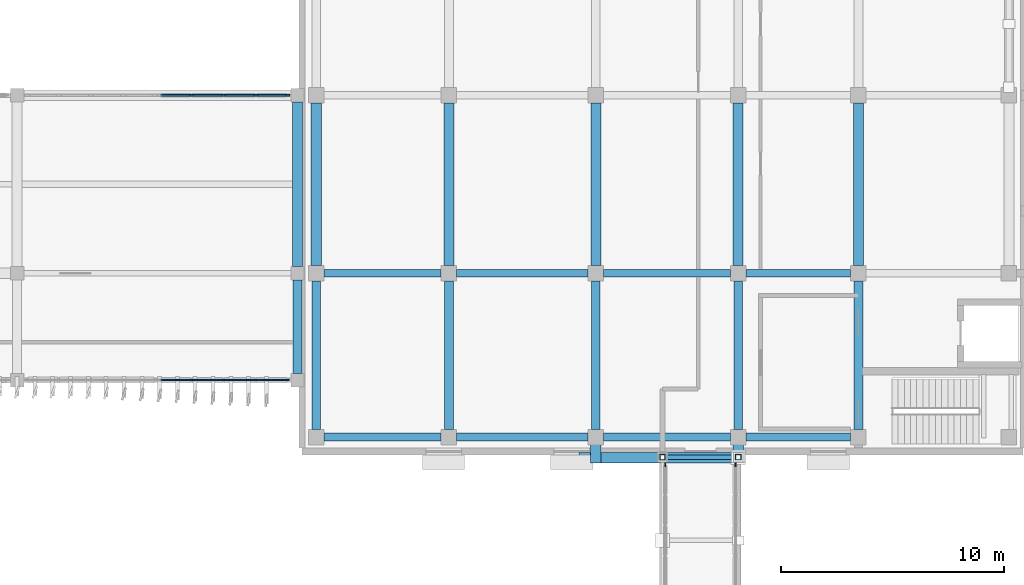
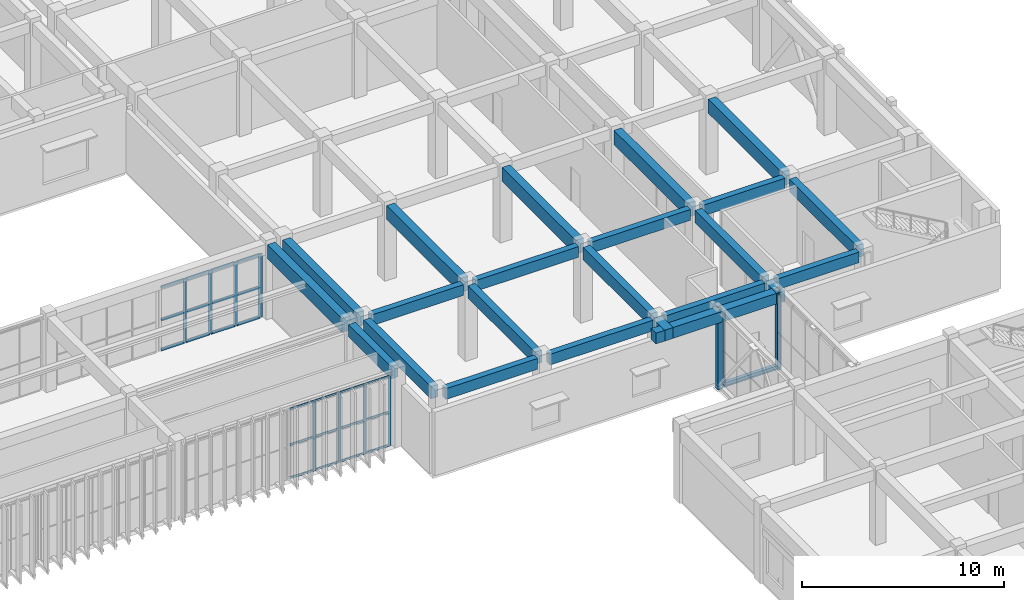
# One storey, part 25 of 64: 36 members, 24 beams, 4 elements without a shape of their own.
"""IFC4 building model written with IfcOpenShell, lengths in metres."""

from ifc_helpers import new_model, si_unit, direction, frame, origin, origin_2d, place, context, subcontext, project, spatial, rectangle, hollow_rectangle, i_section, extrude, material, layer, layer_set, material_profile, profile_set, type_object, element, aggregate, save


model = new_model("IFC4")

# Units and contexts
model_context = context("Model", 3, precision=1e-05, world=origin(), true_north=direction((0.0, 1.0)))
body_context = subcontext(model_context, "Body", "Model", "MODEL_VIEW")
ifc_project = project(units=[si_unit("LENGTHUNIT", "METRE"), si_unit("AREAUNIT", "SQUARE_METRE"), si_unit("VOLUMEUNIT", "CUBIC_METRE"), si_unit("PLANEANGLEUNIT", "RADIAN"), si_unit("MASSUNIT", "GRAM", prefix="KILO")], contexts=[model_context])

# Site, building, storey
site_placement = place(None, origin())
site = spatial("IfcSite", under=ifc_project, at=site_placement, CompositionType="ELEMENT")
building_placement = place(site_placement, origin())
building = spatial("IfcBuilding", under=site, at=building_placement, Name="Cinchona Park Media Centre", CompositionType="ELEMENT")
storey_placement = place(building_placement, frame((0.0, 0.0, 5.39990234375)))
storey = spatial("IfcBuildingStorey", under=building, at=storey_placement, Name="L01", CompositionType="ELEMENT", Elevation=5.39990234375)

# Beams
ifc_material_1 = material(Name="Concrete C35/45", Category="concrete")
ifc_material_profile_1 = material_profile(ifc_material_1, rectangle(XDim=0.39990234375, YDim=0.75, at=origin_2d()), Name="RB 400X750")
ifc_profile_set_1 = profile_set([ifc_material_profile_1], Name="Concrete C35/45")
beam_type_1 = type_object("IfcBeamType", Name="BEAM-B01-RB400X750", PredefinedType="BEAM", material=ifc_profile_set_1)
beam_1_placement = place(storey_placement, frame((139.39990234375, 75.10009765625, 4.1650390625), z_axis=(0.0, 1.0, 0.0), x_axis=(-1.0, 0.0, 0.0)))
element("IfcBeam", 1, at=beam_1_placement, inside=storey, type_object=beam_type_1, Name="Girder B01 L01", PredefinedType="BEAM", context=body_context, shape_type="SweptSolid", body=[
    extrude(rectangle(XDim=0.39990234375, YDim=0.75, at=origin_2d()), origin(), (0.0, 0.0, 1.0), 4.199951171875),
])
for number, where, z_axis, x_axis, name in (
    (2, (140.239990234375, 72.590087890625, 4.175048828125), (0.0, 1.0, 0.0), (-1.0, 0.0, 0.0), "Girder B01 L01"),
    (3, (146.199951171875, 72.590087890625, 4.175048828125), (0.0, 1.0, 0.0), (-1.0, 0.0, 0.0), "Girder B01 L01"),
    (4, (152.800048828125, 72.590087890625, 4.175048828125), (0.0, 1.0, 0.0), (-1.0, 0.0, 0.0), "Girder B01 L01"),
    (5, (159.199951171875, 72.590087890625, 4.175048828125), (0.0, 1.0, 0.0), (-1.0, 0.0, 0.0), "Girder B01 L01"),
    (6, (164.60009765625, 72.590087890625, 4.175048828125), (0.0, 1.0, 0.0), (-1.0, 0.0, 0.0), "Girder B01 L01"),
):
    element("IfcBeam", number, at=place(storey_placement, frame(where, z_axis=z_axis, x_axis=x_axis)), inside=storey, type_object=beam_type_1, Name=name, PredefinedType="BEAM", context=body_context, shape_type="SweptSolid", body=[
        extrude(rectangle(XDim=0.39990234375, YDim=0.75, at=origin_2d()), origin(), (0.0, 0.0, 1.0), 6.659912109375),
    ])
ifc_material_2 = material(Name="Concrete C35/45", Category="concrete")
ifc_material_profile_2 = material_profile(ifc_material_2, rectangle(XDim=0.449951171875, YDim=0.85009765625, at=origin_2d()), Name="RB 450X850")
ifc_profile_set_2 = profile_set([ifc_material_profile_2], Name="Concrete C35/45")
beam_type_2 = type_object("IfcBeamType", Name="BEAM-B02-RB450X850", PredefinedType="BEAM", material=ifc_profile_set_2)
beam_2_placement = place(storey_placement, frame((139.39990234375, 79.89990234375, 4.114990234375), z_axis=(0.0, 1.0, 0.0), x_axis=(-1.0, 0.0, 0.0)))
element("IfcBeam", 7, at=beam_2_placement, inside=storey, type_object=beam_type_2, Name="Girder B02 L01", PredefinedType="BEAM", context=body_context, shape_type="SweptSolid", body=[
    extrude(rectangle(XDim=0.449951171875, YDim=0.85009765625, at=origin_2d()), origin(), (0.0, 0.0, 1.0), 7.400146484375),
])
for number, where, z_axis, x_axis, name in (
    (8, (140.239990234375, 79.949951171875, 4.125), (0.0, 1.0, 0.0), (-1.0, 0.0, 0.0), "Girder B02 L01"),
    (9, (146.199951171875, 79.949951171875, 4.125), (0.0, 1.0, 0.0), (-1.0, 0.0, 0.0), "Girder B02 L01"),
    (10, (152.800048828125, 79.949951171875, 4.125), (0.0, 1.0, 0.0), (-1.0, 0.0, 0.0), "Girder B02 L01"),
    (11, (159.199951171875, 79.949951171875, 4.125), (0.0, 1.0, 0.0), (-1.0, 0.0, 0.0), "Girder B02 L01"),
    (12, (164.60009765625, 79.949951171875, 4.125), (0.0, 1.0, 0.0), (-1.0, 0.0, 0.0), "Girder B02 L01"),
):
    element("IfcBeam", number, at=place(storey_placement, frame(where, z_axis=z_axis, x_axis=x_axis)), inside=storey, type_object=beam_type_2, Name=name, PredefinedType="BEAM", context=body_context, shape_type="SweptSolid", body=[
        extrude(rectangle(XDim=0.449951171875, YDim=0.85009765625, at=origin_2d()), origin(), (0.0, 0.0, 1.0), 7.300048828125),
    ])
ifc_material_3 = material(Name="Concrete C35/45", Category="concrete")
ifc_material_profile_3 = material_profile(ifc_material_3, rectangle(XDim=0.35009765625, YDim=0.64990234375, at=origin_2d()), Name="RB 350X650")
ifc_profile_set_3 = profile_set([ifc_material_profile_3], Name="Concrete C35/45")
beam_type_3 = type_object("IfcBeamType", Name="BEAM-B04-RB350X650", PredefinedType="BEAM", material=ifc_profile_set_3)
beam_3_placement = place(storey_placement, frame((140.590087890625, 72.239990234375, 4.22509765625), z_axis=(1.0, 0.0, 0.0), x_axis=(0.0, 1.0, 0.0)))
element("IfcBeam", 13, at=beam_3_placement, inside=storey, type_object=beam_type_3, Name="Beam B04 L01", PredefinedType="BEAM", context=body_context, shape_type="SweptSolid", body=[
    extrude(rectangle(XDim=0.35009765625, YDim=0.64990234375, at=origin_2d()), origin(), (0.0, 0.0, 1.0), 5.260009765625),
])
beam_4_placement = place(storey_placement, frame((146.550048828125, 72.239990234375, 4.22509765625), z_axis=(1.0, 0.0, 0.0), x_axis=(0.0, 1.0, 0.0)))
element("IfcBeam", 14, at=beam_4_placement, inside=storey, type_object=beam_type_3, Name="Beam B04 L01", PredefinedType="BEAM", context=body_context, shape_type="SweptSolid", body=[
    extrude(rectangle(XDim=0.35009765625, YDim=0.64990234375, at=origin_2d()), origin(), (0.0, 0.0, 1.0), 5.89990234375),
])
beam_5_placement = place(storey_placement, frame((153.14990234375, 72.239990234375, 4.22509765625), z_axis=(1.0, 0.0, 0.0), x_axis=(0.0, 1.0, 0.0)))
element("IfcBeam", 15, at=beam_5_placement, inside=storey, type_object=beam_type_3, Name="Beam B04 L01", PredefinedType="BEAM", context=body_context, shape_type="SweptSolid", body=[
    extrude(rectangle(XDim=0.35009765625, YDim=0.64990234375, at=origin_2d()), origin(), (0.0, 0.0, 1.0), 5.7001953125),
])
beam_6_placement = place(storey_placement, frame((159.550048828125, 72.239990234375, 4.22509765625), z_axis=(1.0, 0.0, 0.0), x_axis=(0.0, 1.0, 0.0)))
element("IfcBeam", 16, at=beam_6_placement, inside=storey, type_object=beam_type_3, Name="Beam B04 L01", PredefinedType="BEAM", context=body_context, shape_type="SweptSolid", body=[
    extrude(rectangle(XDim=0.35009765625, YDim=0.64990234375, at=origin_2d()), origin(), (0.0, 0.0, 1.0), 4.699951171875),
])
beam_7_placement = place(storey_placement, frame((140.590087890625, 79.60009765625, 4.22509765625), z_axis=(1.0, 0.0, 0.0), x_axis=(0.0, 1.0, 0.0)))
element("IfcBeam", 17, at=beam_7_placement, inside=storey, type_object=beam_type_3, Name="Beam B04 L01", PredefinedType="BEAM", context=body_context, shape_type="SweptSolid", body=[
    extrude(rectangle(XDim=0.35009765625, YDim=0.64990234375, at=origin_2d()), origin(), (0.0, 0.0, 1.0), 5.260009765625),
])
beam_8_placement = place(storey_placement, frame((146.550048828125, 79.60009765625, 4.22509765625), z_axis=(1.0, 0.0, 0.0), x_axis=(0.0, 1.0, 0.0)))
element("IfcBeam", 18, at=beam_8_placement, inside=storey, type_object=beam_type_3, Name="Beam B04 L01", PredefinedType="BEAM", context=body_context, shape_type="SweptSolid", body=[
    extrude(rectangle(XDim=0.35009765625, YDim=0.64990234375, at=origin_2d()), origin(), (0.0, 0.0, 1.0), 5.89990234375),
])
beam_9_placement = place(storey_placement, frame((153.14990234375, 79.60009765625, 4.22509765625), z_axis=(1.0, 0.0, 0.0), x_axis=(0.0, 1.0, 0.0)))
element("IfcBeam", 19, at=beam_9_placement, inside=storey, type_object=beam_type_3, Name="Beam B04 L01", PredefinedType="BEAM", context=body_context, shape_type="SweptSolid", body=[
    extrude(rectangle(XDim=0.35009765625, YDim=0.64990234375, at=origin_2d()), origin(), (0.0, 0.0, 1.0), 5.7001953125),
])
beam_10_placement = place(storey_placement, frame((159.550048828125, 79.60009765625, 4.22509765625), z_axis=(1.0, 0.0, 0.0), x_axis=(0.0, 1.0, 0.0)))
element("IfcBeam", 20, at=beam_10_placement, inside=storey, type_object=beam_type_3, Name="Beam B04 L01", PredefinedType="BEAM", context=body_context, shape_type="SweptSolid", body=[
    extrude(rectangle(XDim=0.35009765625, YDim=0.64990234375, at=origin_2d()), origin(), (0.0, 0.0, 1.0), 4.699951171875),
])
ifc_material_4 = material(Name="Concrete C40/50", Category="concrete")
ifc_material_profile_4 = material_profile(ifc_material_4, rectangle(XDim=0.47998046875, YDim=0.64990234375, at=origin_2d()), Name="RB 480X650")
ifc_profile_set_4 = profile_set([ifc_material_profile_4], Name="Concrete C40/50")
beam_type_4 = type_object("IfcBeamType", Name="BEAM-B07-RB480X650", PredefinedType="BEAM", material=ifc_profile_set_4)
for number, where, z_axis, x_axis, name in (
    (21, (152.800048828125, 72.239990234375, 4.175048828125), (0.0, -1.0, 0.0), (1.0, 0.0, 0.0), "Skybridge Support Corbel Beam B07 V7 L01"),
    (22, (159.199951171875, 72.239990234375, 4.175048828125), (0.0, -1.0, 0.0), (1.0, 0.0, 0.0), "Skybridge Support Corbel Beam B07 V7 L01"),
):
    element("IfcBeam", number, at=place(storey_placement, frame(where, z_axis=z_axis, x_axis=x_axis)), inside=storey, type_object=beam_type_4, Name=name, PredefinedType="BEAM", context=body_context, shape_type="SweptSolid", body=[
        extrude(rectangle(XDim=0.47998046875, YDim=0.64990234375, at=origin_2d()), origin(), (0.0, 0.0, 1.0), 1.159912109375),
    ])
beam_11_placement = place(storey_placement, frame((152.050048828125, 71.320068359375, 4.175048828125), z_axis=(1.0, 0.0, 0.0), x_axis=(0.0, 1.0, 0.0)))
element("IfcBeam", 23, at=beam_11_placement, inside=storey, type_object=beam_type_4, Name="Skybridge Bearing Seat Beam B07 V7 L01", PredefinedType="BEAM", context=body_context, shape_type="SweptSolid", body=[
    extrude(rectangle(XDim=0.47998046875, YDim=0.64990234375, at=origin_2d()), origin(), (0.0, 0.0, 1.0), 7.300048828125),
])
ifc_material_5 = material(Name="Steel S355", Category="steel")
ifc_material_profile_5 = material_profile(ifc_material_5, i_section(OverallWidth=0.202880859375, OverallDepth=0.251953125, WebThickness=0.008056640625, FlangeThickness=0.013427734375, at=origin_2d()), Name="W250X58")
ifc_profile_set_5 = profile_set([ifc_material_profile_5], Name="Steel S355")
beam_type_5 = type_object("IfcBeamType", Name="BEAM-B09-W250X58", PredefinedType="BEAM", material=ifc_profile_set_5)
beam_12_placement = place(storey_placement, frame((155.93994140625, 71.340087890625, -0.14990234375), z_axis=(1.0, 0.0, 0.0), x_axis=(0.0, 1.0, 0.0)))
element("IfcBeam", 24, at=beam_12_placement, inside=storey, type_object=beam_type_5, Name="Skybridge Cross Transom Beam B09 SB1", PredefinedType="BEAM", context=body_context, shape_type="SweptSolid", body=[
    extrude(i_section(OverallWidth=0.202880859375, OverallDepth=0.251953125, WebThickness=0.008056640625, FlangeThickness=0.013427734375, at=origin_2d()), origin(), (0.0, 0.0, 1.0), 3.1201171875),
])

# Members
ifc_material_6 = material(Name="Steel S355", Category="steel")
ifc_material_profile_6 = material_profile(ifc_material_6, hollow_rectangle(XDim=0.25, YDim=0.25, WallThickness=0.01611328125, at=origin_2d()), Name="250X250X16SHS")
ifc_profile_set_6 = profile_set([ifc_material_profile_6], Name="Steel S355")
member_type_1 = type_object("IfcMemberType", Name="MEMBER-TS02-SHS250X250X16", PredefinedType="STRUT", material=ifc_profile_set_6)
for number, where, z_axis, x_axis, name in (
    (25, (155.800048828125, 71.340087890625, -0.2998046875), (0.0, 0.0, 1.0), (1.0, 0.0, 0.0), "Skybridge Truss End Post TS02 SB1"),
    (26, (159.199951171875, 71.340087890625, -0.2998046875), (0.0, 0.0, 1.0), (1.0, 0.0, 0.0), "Skybridge Truss End Post TS02 SB1"),
):
    element("IfcMember", number, at=place(storey_placement, frame(where, z_axis=z_axis, x_axis=x_axis)), inside=storey, type_object=member_type_1, Name=name, PredefinedType="STRUT", context=body_context, shape_type="SweptSolid", body=[
        extrude(hollow_rectangle(XDim=0.25, YDim=0.25, WallThickness=0.01611328125, at=origin_2d()), origin(), (0.0, 0.0, 1.0), 4.849853515625),
    ])

# Curtain wall, members
ifc_material_7 = material(Name="Aluminium Curtain Wall Framing", Category="aluminium")
ifc_layer_1 = layer(ifc_material_7, 0.27001953125)
ifc_layer_set_1 = layer_set([ifc_layer_1], Name="Aluminium Curtain Wall Framing")
curtain_wall_type_1 = type_object("IfcCurtainWallType", Name="CW-CW07", PredefinedType="USERDEFINED", material=ifc_layer_set_1)
curtain_wall_1_placement = place(storey_placement, origin())
curtain_wall_1 = element("IfcCurtainWall", 27, at=curtain_wall_1_placement, inside=storey, type_object=curtain_wall_type_1, Name="Curtain Wall CW07 L01", ObjectType="UNITISED CURTAIN WALL", PredefinedType="USERDEFINED")
ifc_material_8 = material(Name="Anodised Aluminium Alloy 6063-T6", Category="aluminium")
ifc_material_profile_7 = material_profile(ifc_material_8, rectangle(XDim=0.06494140625, YDim=0.159912109375, at=origin_2d()), Name="MUL-65X160")
ifc_profile_set_7 = profile_set([ifc_material_profile_7], Name="Anodised Aluminium Alloy 6063-T6")
member_type_2 = type_object("IfcMemberType", Name="MULLION-MUL01", PredefinedType="MULLION", material=ifc_profile_set_7)
member_1_placement = place(storey_placement, frame((138.947509765625, 74.800048828125, 0.050048828125), z_axis=(0.0, 0.0, 1.0), x_axis=(0.0, -1.0, 0.0)))
member_1 = element("IfcMember", 28, at=member_1_placement, type_object=member_type_2, Name="CW07 mullion 1", PredefinedType="MULLION", context=body_context, shape_type="SweptSolid", body=[
    extrude(rectangle(XDim=0.06494140625, YDim=0.159912109375, at=origin_2d()), origin(), (0.0, 0.0, 1.0), 4.238037109375),
])
member_2_placement = place(storey_placement, frame((137.530029296875, 74.800048828125, 0.050048828125), z_axis=(0.0, 0.0, 1.0), x_axis=(0.0, -1.0, 0.0)))
member_2 = element("IfcMember", 29, at=member_2_placement, type_object=member_type_2, Name="CW07 mullion 2", PredefinedType="MULLION", context=body_context, shape_type="SweptSolid", body=[
    extrude(rectangle(XDim=0.06494140625, YDim=0.159912109375, at=origin_2d()), origin(), (0.0, 0.0, 1.0), 4.238037109375),
])
member_3_placement = place(storey_placement, frame((136.080078125, 74.800048828125, 0.050048828125), z_axis=(0.0, 0.0, 1.0), x_axis=(0.0, -1.0, 0.0)))
member_3 = element("IfcMember", 30, at=member_3_placement, type_object=member_type_2, Name="CW07 mullion 3", PredefinedType="MULLION", context=body_context, shape_type="SweptSolid", body=[
    extrude(rectangle(XDim=0.06494140625, YDim=0.159912109375, at=origin_2d()), origin(), (0.0, 0.0, 1.0), 4.238037109375),
])
member_4_placement = place(storey_placement, frame((134.6298828125, 74.800048828125, 0.050048828125), z_axis=(0.0, 0.0, 1.0), x_axis=(0.0, -1.0, 0.0)))
member_4 = element("IfcMember", 31, at=member_4_placement, type_object=member_type_2, Name="CW07 mullion 4", PredefinedType="MULLION", context=body_context, shape_type="SweptSolid", body=[
    extrude(rectangle(XDim=0.06494140625, YDim=0.159912109375, at=origin_2d()), origin(), (0.0, 0.0, 1.0), 4.238037109375),
])

# Curtain wall, member
ifc_material_9 = material(Name="Aluminium Curtain Wall Framing", Category="aluminium")
ifc_layer_2 = layer(ifc_material_9, 0.195068359375)
ifc_layer_set_2 = layer_set([ifc_layer_2], Name="Aluminium Curtain Wall Framing")
curtain_wall_type_2 = type_object("IfcCurtainWallType", Name="CW-CW02", PredefinedType="USERDEFINED", material=ifc_layer_set_2)
curtain_wall_2_placement = place(storey_placement, origin())
curtain_wall_2 = element("IfcCurtainWall", 32, at=curtain_wall_2_placement, inside=storey, type_object=curtain_wall_type_2, Name="Skybridge SB1 Curtain Wall CW02 L01", ObjectType="UNITISED CURTAIN WALL", PredefinedType="USERDEFINED")
member_5_placement = place(storey_placement, frame((155.919921875, 70.99755859375, 0.050048828125), z_axis=(0.0, 0.0, 1.0), x_axis=(-1.0, 0.0, 0.0)))
member_5 = element("IfcMember", 33, at=member_5_placement, type_object=member_type_2, Name="CW02 mullion 6", PredefinedType="MULLION", context=body_context, shape_type="SweptSolid", body=[
    extrude(rectangle(XDim=0.06494140625, YDim=0.159912109375, at=origin_2d()), origin(), (0.0, 0.0, 1.0), 4.449951171875),
])
aggregate(curtain_wall_2, [member_5])

curtain_wall_3_placement = place(storey_placement, origin())
curtain_wall_3 = element("IfcCurtainWall", 34, at=curtain_wall_3_placement, inside=storey, type_object=curtain_wall_type_2, Name="Skybridge SB1 Curtain Wall CW02 L01", ObjectType="UNITISED CURTAIN WALL", PredefinedType="USERDEFINED")
member_6_placement = place(storey_placement, frame((159.080078125, 70.99755859375, 0.050048828125), z_axis=(0.0, 0.0, 1.0), x_axis=(1.0, 0.0, 0.0)))
member_6 = element("IfcMember", 35, at=member_6_placement, type_object=member_type_2, Name="CW02 mullion 1", PredefinedType="MULLION", context=body_context, shape_type="SweptSolid", body=[
    extrude(rectangle(XDim=0.06494140625, YDim=0.159912109375, at=origin_2d()), origin(), (0.0, 0.0, 1.0), 4.449951171875),
])
aggregate(curtain_wall_3, [member_6])

# Curtain wall, members
ifc_material_10 = material(Name="Aluminium Curtain Wall Framing", Category="aluminium")
ifc_layer_3 = layer(ifc_material_10, 0.22509765625)
ifc_layer_set_3 = layer_set([ifc_layer_3], Name="Aluminium Curtain Wall Framing")
curtain_wall_type_3 = type_object("IfcCurtainWallType", Name="CW-CW04", PredefinedType="USERDEFINED", material=ifc_layer_set_3)
curtain_wall_4_placement = place(storey_placement, origin())
curtain_wall_4 = element("IfcCurtainWall", 36, at=curtain_wall_4_placement, inside=storey, type_object=curtain_wall_type_3, Name="Curtain Wall CW04 L01", ObjectType="UNITISED CURTAIN WALL", PredefinedType="USERDEFINED")
ifc_material_11 = material(Name="Anodised Aluminium Alloy 6063-T6", Category="aluminium")
ifc_material_profile_8 = material_profile(ifc_material_11, rectangle(XDim=0.074951171875, YDim=0.2099609375, at=origin_2d()), Name="MUL-75X210")
ifc_profile_set_8 = profile_set([ifc_material_profile_8], Name="Anodised Aluminium Alloy 6063-T6")
member_type_3 = type_object("IfcMemberType", Name="MULLION-MUL03", PredefinedType="MULLION", material=ifc_profile_set_8)
member_7_placement = place(storey_placement, frame((134.6298828125, 87.60009765625, 0.050048828125), z_axis=(0.0, 0.0, 1.0), x_axis=(0.0, 1.0, 0.0)))
member_7 = element("IfcMember", 37, at=member_7_placement, type_object=member_type_3, Name="CW04 mullion 2", PredefinedType="MULLION", context=body_context, shape_type="SweptSolid", body=[
    extrude(rectangle(XDim=0.074951171875, YDim=0.2099609375, at=origin_2d()), origin(), (0.0, 0.0, 1.0), 3.840087890625),
])
member_8_placement = place(storey_placement, frame((136.080078125, 87.60009765625, 0.050048828125), z_axis=(0.0, 0.0, 1.0), x_axis=(0.0, 1.0, 0.0)))
member_8 = element("IfcMember", 38, at=member_8_placement, type_object=member_type_3, Name="CW04 mullion 3", PredefinedType="MULLION", context=body_context, shape_type="SweptSolid", body=[
    extrude(rectangle(XDim=0.074951171875, YDim=0.2099609375, at=origin_2d()), origin(), (0.0, 0.0, 1.0), 3.840087890625),
])
member_9_placement = place(storey_placement, frame((137.530029296875, 87.60009765625, 0.050048828125), z_axis=(0.0, 0.0, 1.0), x_axis=(0.0, 1.0, 0.0)))
member_9 = element("IfcMember", 39, at=member_9_placement, type_object=member_type_3, Name="CW04 mullion 4", PredefinedType="MULLION", context=body_context, shape_type="SweptSolid", body=[
    extrude(rectangle(XDim=0.074951171875, YDim=0.2099609375, at=origin_2d()), origin(), (0.0, 0.0, 1.0), 3.840087890625),
])
member_10_placement = place(storey_placement, frame((138.9423828125, 87.60009765625, 0.050048828125), z_axis=(0.0, 0.0, 1.0), x_axis=(0.0, 1.0, 0.0)))
member_10 = element("IfcMember", 40, at=member_10_placement, type_object=member_type_3, Name="CW04 mullion 5", PredefinedType="MULLION", context=body_context, shape_type="SweptSolid", body=[
    extrude(rectangle(XDim=0.074951171875, YDim=0.2099609375, at=origin_2d()), origin(), (0.0, 0.0, 1.0), 3.840087890625),
])

# Member
ifc_material_12 = material(Name="Anodised Aluminium Alloy 6063-T6", Category="aluminium")
ifc_material_profile_9 = material_profile(ifc_material_12, rectangle(XDim=0.06494140625, YDim=0.1201171875, at=origin_2d()), Name="TRN-65X120")
ifc_profile_set_9 = profile_set([ifc_material_profile_9], Name="Anodised Aluminium Alloy 6063-T6")
member_type_4 = type_object("IfcMemberType", Name="TRANSOM-TRN01", PredefinedType="USERDEFINED", material=ifc_profile_set_9)
member_11_placement = place(storey_placement, frame((138.9150390625, 74.800048828125, 0.08251953125), z_axis=(-1.0, 0.0, 0.0), x_axis=(0.0, -1.0, 0.0)))
member_11 = element("IfcMember", 41, at=member_11_placement, type_object=member_type_4, Name="CW07 transom 1.1", ObjectType="TRANSOM", PredefinedType="USERDEFINED", context=body_context, shape_type="SweptSolid", body=[
    extrude(rectangle(XDim=0.06494140625, YDim=0.1201171875, at=origin_2d()), origin(), (0.0, 0.0, 1.0), 1.3525390625),
])

member_12_placement = place(storey_placement, frame((138.9150390625, 74.800048828125, 2.083984375), z_axis=(-1.0, 0.0, 0.0), x_axis=(0.0, -1.0, 0.0)))
member_12 = element("IfcMember", 42, at=member_12_placement, type_object=member_type_4, Name="CW07 transom 1.2", ObjectType="TRANSOM", PredefinedType="USERDEFINED", context=body_context, shape_type="SweptSolid", body=[
    extrude(rectangle(XDim=0.06494140625, YDim=0.1201171875, at=origin_2d()), origin(), (0.0, 0.0, 1.0), 1.3525390625),
])

member_13_placement = place(storey_placement, frame((138.9150390625, 74.800048828125, 4.255615234375), z_axis=(-1.0, 0.0, 0.0), x_axis=(0.0, -1.0, 0.0)))
member_13 = element("IfcMember", 43, at=member_13_placement, type_object=member_type_4, Name="CW07 transom 1.3", ObjectType="TRANSOM", PredefinedType="USERDEFINED", context=body_context, shape_type="SweptSolid", body=[
    extrude(rectangle(XDim=0.06494140625, YDim=0.1201171875, at=origin_2d()), origin(), (0.0, 0.0, 1.0), 1.3525390625),
])

member_14_placement = place(storey_placement, frame((137.49755859375, 74.800048828125, 0.08251953125), z_axis=(-1.0, 0.0, 0.0), x_axis=(0.0, -1.0, 0.0)))
member_14 = element("IfcMember", 44, at=member_14_placement, type_object=member_type_4, Name="CW07 transom 2.1", ObjectType="TRANSOM", PredefinedType="USERDEFINED", context=body_context, shape_type="SweptSolid", body=[
    extrude(rectangle(XDim=0.06494140625, YDim=0.1201171875, at=origin_2d()), origin(), (0.0, 0.0, 1.0), 1.385009765625),
])

member_15_placement = place(storey_placement, frame((137.49755859375, 74.800048828125, 2.083984375), z_axis=(-1.0, 0.0, 0.0), x_axis=(0.0, -1.0, 0.0)))
member_15 = element("IfcMember", 45, at=member_15_placement, type_object=member_type_4, Name="CW07 transom 2.2", ObjectType="TRANSOM", PredefinedType="USERDEFINED", context=body_context, shape_type="SweptSolid", body=[
    extrude(rectangle(XDim=0.06494140625, YDim=0.1201171875, at=origin_2d()), origin(), (0.0, 0.0, 1.0), 1.385009765625),
])

member_16_placement = place(storey_placement, frame((137.49755859375, 74.800048828125, 4.255615234375), z_axis=(-1.0, 0.0, 0.0), x_axis=(0.0, -1.0, 0.0)))
member_16 = element("IfcMember", 46, at=member_16_placement, type_object=member_type_4, Name="CW07 transom 2.3", ObjectType="TRANSOM", PredefinedType="USERDEFINED", context=body_context, shape_type="SweptSolid", body=[
    extrude(rectangle(XDim=0.06494140625, YDim=0.1201171875, at=origin_2d()), origin(), (0.0, 0.0, 1.0), 1.385009765625),
])

member_17_placement = place(storey_placement, frame((136.047607421875, 74.800048828125, 0.08251953125), z_axis=(-1.0, 0.0, 0.0), x_axis=(0.0, -1.0, 0.0)))
member_17 = element("IfcMember", 47, at=member_17_placement, type_object=member_type_4, Name="CW07 transom 3.1", ObjectType="TRANSOM", PredefinedType="USERDEFINED", context=body_context, shape_type="SweptSolid", body=[
    extrude(rectangle(XDim=0.06494140625, YDim=0.1201171875, at=origin_2d()), origin(), (0.0, 0.0, 1.0), 1.385009765625),
])

member_18_placement = place(storey_placement, frame((136.047607421875, 74.800048828125, 2.083984375), z_axis=(-1.0, 0.0, 0.0), x_axis=(0.0, -1.0, 0.0)))
member_18 = element("IfcMember", 48, at=member_18_placement, type_object=member_type_4, Name="CW07 transom 3.2", ObjectType="TRANSOM", PredefinedType="USERDEFINED", context=body_context, shape_type="SweptSolid", body=[
    extrude(rectangle(XDim=0.06494140625, YDim=0.1201171875, at=origin_2d()), origin(), (0.0, 0.0, 1.0), 1.385009765625),
])

member_19_placement = place(storey_placement, frame((136.047607421875, 74.800048828125, 4.255615234375), z_axis=(-1.0, 0.0, 0.0), x_axis=(0.0, -1.0, 0.0)))
member_19 = element("IfcMember", 49, at=member_19_placement, type_object=member_type_4, Name="CW07 transom 3.3", ObjectType="TRANSOM", PredefinedType="USERDEFINED", context=body_context, shape_type="SweptSolid", body=[
    extrude(rectangle(XDim=0.06494140625, YDim=0.1201171875, at=origin_2d()), origin(), (0.0, 0.0, 1.0), 1.385009765625),
])

member_20_placement = place(storey_placement, frame((134.597412109375, 74.800048828125, 0.08251953125), z_axis=(-1.0, 0.0, 0.0), x_axis=(0.0, -1.0, 0.0)))
member_20 = element("IfcMember", 50, at=member_20_placement, type_object=member_type_4, Name="CW07 transom 4.1", ObjectType="TRANSOM", PredefinedType="USERDEFINED", context=body_context, shape_type="SweptSolid", body=[
    extrude(rectangle(XDim=0.06494140625, YDim=0.1201171875, at=origin_2d()), origin(), (0.0, 0.0, 1.0), 1.352294921875),
])

member_21_placement = place(storey_placement, frame((134.597412109375, 74.800048828125, 2.083984375), z_axis=(-1.0, 0.0, 0.0), x_axis=(0.0, -1.0, 0.0)))
member_21 = element("IfcMember", 51, at=member_21_placement, type_object=member_type_4, Name="CW07 transom 4.2", ObjectType="TRANSOM", PredefinedType="USERDEFINED", context=body_context, shape_type="SweptSolid", body=[
    extrude(rectangle(XDim=0.06494140625, YDim=0.1201171875, at=origin_2d()), origin(), (0.0, 0.0, 1.0), 1.352294921875),
])

member_22_placement = place(storey_placement, frame((134.597412109375, 74.800048828125, 4.255615234375), z_axis=(-1.0, 0.0, 0.0), x_axis=(0.0, -1.0, 0.0)))
member_22 = element("IfcMember", 52, at=member_22_placement, type_object=member_type_4, Name="CW07 transom 4.3", ObjectType="TRANSOM", PredefinedType="USERDEFINED", context=body_context, shape_type="SweptSolid", body=[
    extrude(rectangle(XDim=0.06494140625, YDim=0.1201171875, at=origin_2d()), origin(), (0.0, 0.0, 1.0), 1.352294921875),
])

aggregate(curtain_wall_1, [member_1, member_2, member_3, member_4, member_11, member_12, member_13, member_14, member_15, member_16, member_17, member_18, member_19, member_20, member_21, member_22])

ifc_material_13 = material(Name="Anodised Aluminium Alloy 6063-T6", Category="aluminium")
ifc_material_profile_10 = material_profile(ifc_material_13, rectangle(XDim=0.074951171875, YDim=0.159912109375, at=origin_2d()), Name="TRN-75X160")
ifc_profile_set_10 = profile_set([ifc_material_profile_10], Name="Anodised Aluminium Alloy 6063-T6")
member_type_5 = type_object("IfcMemberType", Name="TRANSOM-TRN03", PredefinedType="USERDEFINED", material=ifc_profile_set_10)
member_23_placement = place(storey_placement, frame((133.2548828125, 87.60009765625, 0.087646484375), z_axis=(1.0, 0.0, 0.0), x_axis=(0.0, 1.0, 0.0)))
member_23 = element("IfcMember", 53, at=member_23_placement, type_object=member_type_5, Name="CW04 transom 1.1", ObjectType="TRANSOM", PredefinedType="USERDEFINED", context=body_context, shape_type="SweptSolid", body=[
    extrude(rectangle(XDim=0.074951171875, YDim=0.159912109375, at=origin_2d()), origin(), (0.0, 0.0, 1.0), 1.337646484375),
])

member_24_placement = place(storey_placement, frame((133.2548828125, 87.60009765625, 1.89306640625), z_axis=(1.0, 0.0, 0.0), x_axis=(0.0, 1.0, 0.0)))
member_24 = element("IfcMember", 54, at=member_24_placement, type_object=member_type_5, Name="CW04 transom 1.2", ObjectType="TRANSOM", PredefinedType="USERDEFINED", context=body_context, shape_type="SweptSolid", body=[
    extrude(rectangle(XDim=0.074951171875, YDim=0.159912109375, at=origin_2d()), origin(), (0.0, 0.0, 1.0), 1.337646484375),
])

member_25_placement = place(storey_placement, frame((133.2548828125, 87.60009765625, 3.8525390625), z_axis=(1.0, 0.0, 0.0), x_axis=(0.0, 1.0, 0.0)))
member_25 = element("IfcMember", 55, at=member_25_placement, type_object=member_type_5, Name="CW04 transom 1.3", ObjectType="TRANSOM", PredefinedType="USERDEFINED", context=body_context, shape_type="SweptSolid", body=[
    extrude(rectangle(XDim=0.074951171875, YDim=0.159912109375, at=origin_2d()), origin(), (0.0, 0.0, 1.0), 1.337646484375),
])

member_26_placement = place(storey_placement, frame((134.66748046875, 87.60009765625, 0.087646484375), z_axis=(1.0, 0.0, 0.0), x_axis=(0.0, 1.0, 0.0)))
member_26 = element("IfcMember", 56, at=member_26_placement, type_object=member_type_5, Name="CW04 transom 2.1", ObjectType="TRANSOM", PredefinedType="USERDEFINED", context=body_context, shape_type="SweptSolid", body=[
    extrude(rectangle(XDim=0.074951171875, YDim=0.159912109375, at=origin_2d()), origin(), (0.0, 0.0, 1.0), 1.375),
])

member_27_placement = place(storey_placement, frame((134.66748046875, 87.60009765625, 1.89306640625), z_axis=(1.0, 0.0, 0.0), x_axis=(0.0, 1.0, 0.0)))
member_27 = element("IfcMember", 57, at=member_27_placement, type_object=member_type_5, Name="CW04 transom 2.2", ObjectType="TRANSOM", PredefinedType="USERDEFINED", context=body_context, shape_type="SweptSolid", body=[
    extrude(rectangle(XDim=0.074951171875, YDim=0.159912109375, at=origin_2d()), origin(), (0.0, 0.0, 1.0), 1.375),
])

member_28_placement = place(storey_placement, frame((134.66748046875, 87.60009765625, 3.8525390625), z_axis=(1.0, 0.0, 0.0), x_axis=(0.0, 1.0, 0.0)))
member_28 = element("IfcMember", 58, at=member_28_placement, type_object=member_type_5, Name="CW04 transom 2.3", ObjectType="TRANSOM", PredefinedType="USERDEFINED", context=body_context, shape_type="SweptSolid", body=[
    extrude(rectangle(XDim=0.074951171875, YDim=0.159912109375, at=origin_2d()), origin(), (0.0, 0.0, 1.0), 1.375),
])

member_29_placement = place(storey_placement, frame((136.117431640625, 87.60009765625, 0.087646484375), z_axis=(1.0, 0.0, 0.0), x_axis=(0.0, 1.0, 0.0)))
member_29 = element("IfcMember", 59, at=member_29_placement, type_object=member_type_5, Name="CW04 transom 3.1", ObjectType="TRANSOM", PredefinedType="USERDEFINED", context=body_context, shape_type="SweptSolid", body=[
    extrude(rectangle(XDim=0.074951171875, YDim=0.159912109375, at=origin_2d()), origin(), (0.0, 0.0, 1.0), 1.375),
])

member_30_placement = place(storey_placement, frame((136.117431640625, 87.60009765625, 1.89306640625), z_axis=(1.0, 0.0, 0.0), x_axis=(0.0, 1.0, 0.0)))
member_30 = element("IfcMember", 60, at=member_30_placement, type_object=member_type_5, Name="CW04 transom 3.2", ObjectType="TRANSOM", PredefinedType="USERDEFINED", context=body_context, shape_type="SweptSolid", body=[
    extrude(rectangle(XDim=0.074951171875, YDim=0.159912109375, at=origin_2d()), origin(), (0.0, 0.0, 1.0), 1.375),
])

member_31_placement = place(storey_placement, frame((136.117431640625, 87.60009765625, 3.8525390625), z_axis=(1.0, 0.0, 0.0), x_axis=(0.0, 1.0, 0.0)))
member_31 = element("IfcMember", 61, at=member_31_placement, type_object=member_type_5, Name="CW04 transom 3.3", ObjectType="TRANSOM", PredefinedType="USERDEFINED", context=body_context, shape_type="SweptSolid", body=[
    extrude(rectangle(XDim=0.074951171875, YDim=0.159912109375, at=origin_2d()), origin(), (0.0, 0.0, 1.0), 1.375),
])

member_32_placement = place(storey_placement, frame((137.5673828125, 87.60009765625, 0.087646484375), z_axis=(1.0, 0.0, 0.0), x_axis=(0.0, 1.0, 0.0)))
member_32 = element("IfcMember", 62, at=member_32_placement, type_object=member_type_5, Name="CW04 transom 4.1", ObjectType="TRANSOM", PredefinedType="USERDEFINED", context=body_context, shape_type="SweptSolid", body=[
    extrude(rectangle(XDim=0.074951171875, YDim=0.159912109375, at=origin_2d()), origin(), (0.0, 0.0, 1.0), 1.337646484375),
])

member_33_placement = place(storey_placement, frame((137.5673828125, 87.60009765625, 1.89306640625), z_axis=(1.0, 0.0, 0.0), x_axis=(0.0, 1.0, 0.0)))
member_33 = element("IfcMember", 63, at=member_33_placement, type_object=member_type_5, Name="CW04 transom 4.2", ObjectType="TRANSOM", PredefinedType="USERDEFINED", context=body_context, shape_type="SweptSolid", body=[
    extrude(rectangle(XDim=0.074951171875, YDim=0.159912109375, at=origin_2d()), origin(), (0.0, 0.0, 1.0), 1.337646484375),
])

member_34_placement = place(storey_placement, frame((137.5673828125, 87.60009765625, 3.8525390625), z_axis=(1.0, 0.0, 0.0), x_axis=(0.0, 1.0, 0.0)))
member_34 = element("IfcMember", 64, at=member_34_placement, type_object=member_type_5, Name="CW04 transom 4.3", ObjectType="TRANSOM", PredefinedType="USERDEFINED", context=body_context, shape_type="SweptSolid", body=[
    extrude(rectangle(XDim=0.074951171875, YDim=0.159912109375, at=origin_2d()), origin(), (0.0, 0.0, 1.0), 1.337646484375),
])

aggregate(curtain_wall_4, [member_7, member_8, member_9, member_10, member_23, member_24, member_25, member_26, member_27, member_28, member_29, member_30, member_31, member_32, member_33, member_34])

save(model, "model.ifc")
